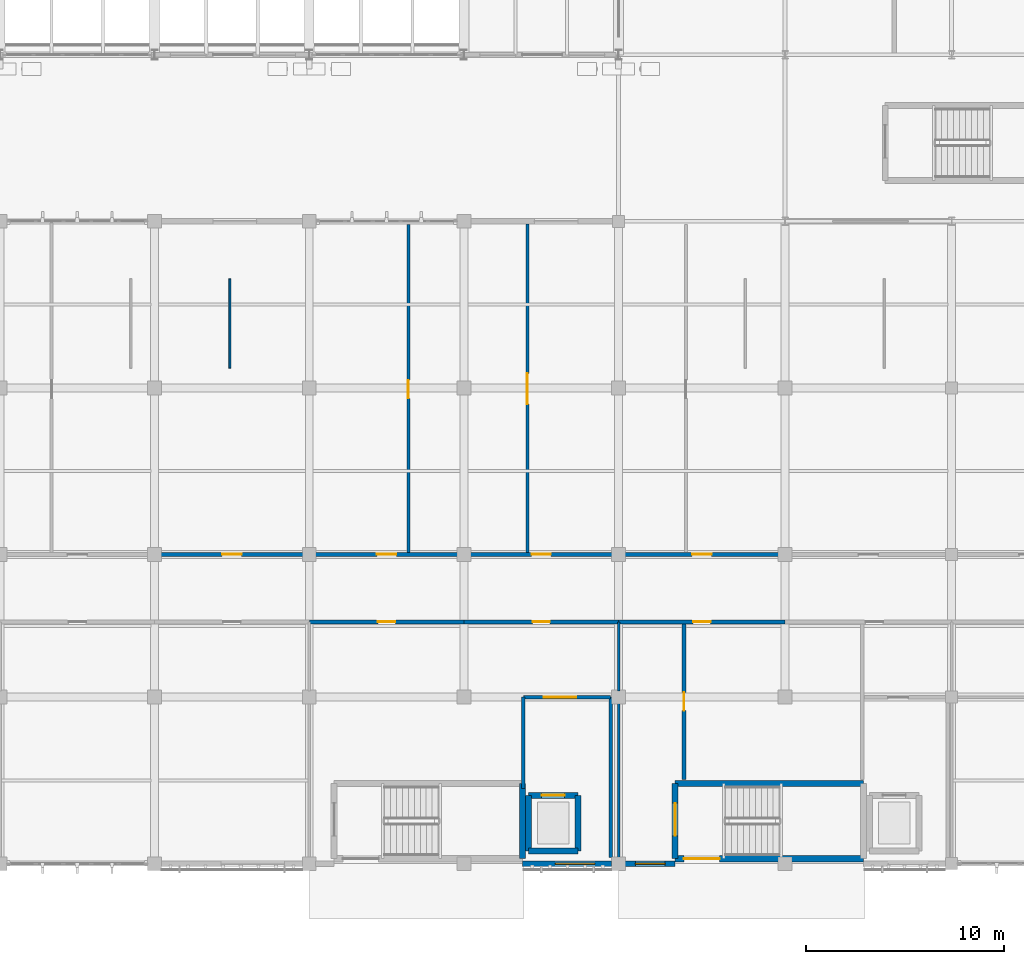
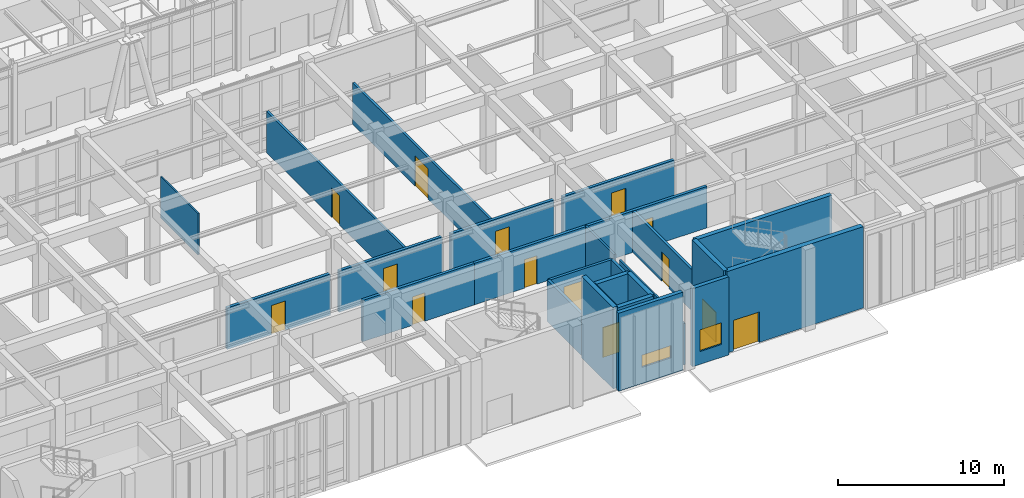
# One storey, part 75 of 110: 26 walls, 14 doors, 2 windows, 16 openings.
"""IFC4 building model written with IfcOpenShell, lengths in metres."""

from ifc_helpers import new_model, si_unit, direction, frame, frame_2d, origin, place, context, subcontext, project, spatial, rectangle, extrude, material, layer, layer_set, type_object, element, fill, save


model = new_model("IFC4")

# Units and contexts
model_context = context("Model", 3, precision=1e-05, world=origin(), true_north=direction((0.0, 1.0)))
body_context = subcontext(model_context, "Body", "Model", "MODEL_VIEW")
ifc_project = project(units=[si_unit("LENGTHUNIT", "METRE"), si_unit("AREAUNIT", "SQUARE_METRE"), si_unit("VOLUMEUNIT", "CUBIC_METRE"), si_unit("PLANEANGLEUNIT", "RADIAN"), si_unit("MASSUNIT", "GRAM", prefix="KILO")], contexts=[model_context])

# Site, building, storey
site_placement = place(None, origin())
site = spatial("IfcSite", under=ifc_project, at=site_placement, CompositionType="ELEMENT")
building_placement = place(site_placement, origin())
building = spatial("IfcBuilding", under=site, at=building_placement, Name="Tizgana Railside Sports Hall", CompositionType="ELEMENT")
storey_placement = place(building_placement, origin())
storey = spatial("IfcBuildingStorey", under=building, at=storey_placement, Name="L00", CompositionType="ELEMENT", Elevation=0.0)

# Wall, opening, door
ifc_material_1 = material(Name="Masonry blockwork", Category="masonry")
ifc_layer_1 = layer(ifc_material_1, 0.14990234375, Name="Masonry blockwork")
ifc_layer_set_1 = layer_set([ifc_layer_1], Name="Masonry blockwork")
wall_type_1 = type_object("IfcWallType", Name="Changing Wet-Room Partition 150", PredefinedType="STANDARD", material=ifc_layer_set_1)
wall_1_placement = place(storey_placement, frame((44.0, 15.60009765625, 0.0), z_axis=(0.0, 0.0, 1.0), x_axis=(0.0, 1.0, 0.0)))
wall_1 = element("IfcWall", 1, at=wall_1_placement, inside=storey, type_object=wall_type_1, Name="L00 Partition PWAL-0024", PredefinedType="STANDARD", context=body_context, shape_type="SweptSolid", body=[
    extrude(rectangle(XDim=16.64990234375, YDim=0.14990234375, at=frame_2d((8.324951171875, 0.0))), origin(), (0.0, 0.0, 1.0), 3.050048828125),
])
opening_1_placement = place(wall_1_placement, frame((7.864990234375, 0.0, 0.0)))
opening_1 = element("IfcOpeningElement", 2, at=opening_1_placement, cuts=wall_1, Name="Opening D-0126", PredefinedType="OPENING", context=body_context, shape_type="SweptSolid", body=[
    extrude(rectangle(XDim=0.919921875, YDim=2.14990234375, at=frame_2d((0.4599609375, 1.074951171875))), frame((0.0, 0.0849609375, 0.0), z_axis=(0.0, -1.0, 0.0), x_axis=(1.0, 0.0, 0.0)), (0.0, 0.0, 1.0), 0.169921875),
])
ifc_material_2 = material(Name="Solid beech timber", Category="wood")
door_type_1 = type_object("IfcDoorType", Name="Consultation & Coaching Door 920x2150", OperationType="NOTDEFINED", PredefinedType="DOOR", material=ifc_material_2)
door_1_placement = place(opening_1_placement, origin())
door_1 = element("IfcDoor", 3, at=door_1_placement, inside=storey, type_object=door_type_1, Name="L00 Door D-0126", OperationType="SINGLE_SWING_RIGHT", OverallHeight=2.14990234375, OverallWidth=0.919921875, PredefinedType="DOOR", context=body_context, shape_type="SweptSolid", body=[
    extrude(rectangle(XDim=0.919921875, YDim=2.14990234375, at=frame_2d((0.4599609375, 1.074951171875))), frame((0.0, 0.02490234375, 0.0), z_axis=(0.0, -1.0, 0.0), x_axis=(1.0, 0.0, 0.0)), (0.0, 0.0, 1.0), 0.050048828125),
])
fill(opening_1, door_1)

ifc_material_3 = material(Name="Acoustic gypsum stud")
ifc_layer_2 = layer(ifc_material_3, 0.159912109375, Name="Acoustic gypsum stud")
ifc_layer_set_2 = layer_set([ifc_layer_2], Name="Acoustic gypsum stud")
wall_type_2 = type_object("IfcWallType", Name="Clinic Acoustic Partition 160", PredefinedType="STANDARD", material=ifc_layer_set_2)
wall_2_placement = place(storey_placement, frame((50.0, 15.64990234375, 0.0), z_axis=(0.0, 0.0, 1.0), x_axis=(0.0, 1.0, 0.0)))
wall_2 = element("IfcWall", 4, at=wall_2_placement, inside=storey, type_object=wall_type_2, Name="L00 Partition PWAL-0044", PredefinedType="STANDARD", context=body_context, shape_type="SweptSolid", body=[
    extrude(rectangle(XDim=16.610107421875, YDim=0.159912109375, at=frame_2d((8.30517578125, 0.0))), origin(), (0.0, 0.0, 1.0), 3.050048828125),
])
opening_2_placement = place(wall_2_placement, frame((7.52490234375, 0.0, 0.0)))
opening_2 = element("IfcOpeningElement", 5, at=opening_2_placement, cuts=wall_2, Name="Opening D-0132", PredefinedType="OPENING", context=body_context, shape_type="SweptSolid", body=[
    extrude(rectangle(XDim=1.550048828125, YDim=2.25, at=frame_2d((0.77490234375, 1.125))), frame((0.0, 0.08984375, 0.0), z_axis=(0.0, -1.0, 0.0), x_axis=(1.0, 0.0, 0.0)), (0.0, 0.0, 1.0), 0.179931640625),
])
ifc_material_4 = material(Name="Acoustic perforated timber", Category="wood")
door_type_2 = type_object("IfcDoorType", Name="Studio Acoustic Double Door 1550x2250", OperationType="NOTDEFINED", PredefinedType="DOOR", material=ifc_material_4)
door_2_placement = place(opening_2_placement, origin())
door_2 = element("IfcDoor", 6, at=door_2_placement, inside=storey, type_object=door_type_2, Name="L00 Door D-0132", OperationType="DOUBLE_DOOR_SINGLE_SWING", OverallHeight=2.25, OverallWidth=1.550048828125, PredefinedType="DOOR", context=body_context, shape_type="SweptSolid", body=[
    extrude(rectangle(XDim=1.550048828125, YDim=2.25, at=frame_2d((0.77490234375, 1.125))), frame((0.0, 0.02490234375, 0.0), z_axis=(0.0, -1.0, 0.0), x_axis=(1.0, 0.0, 0.0)), (0.0, 0.0, 1.0), 0.050048828125),
])
fill(opening_2, door_2)

# Walls
ifc_material_5 = material(Name="Concrete C40/50", Category="concrete")
ifc_layer_3 = layer(ifc_material_5, 0.300048828125, Name="Concrete C40/50")
ifc_layer_set_3 = layer_set([ifc_layer_3], Name="Concrete C40/50")
wall_type_3 = type_object("IfcWallType", Name="Core Shear Wall 300", PredefinedType="SHEAR", material=ifc_layer_set_3)
wall_3_placement = place(storey_placement, frame((49.75, 0.25, 0.0), z_axis=(0.0, 0.0, 1.0), x_axis=(0.0, 1.0, 0.0)))
element("IfcWall", 7, at=wall_3_placement, inside=storey, type_object=wall_type_3, Name="L00 C2 Shaft Wall E", PredefinedType="SHEAR", context=body_context, shape_type="SweptSolid", body=[
    extrude(rectangle(XDim=3.800048828125, YDim=0.300048828125, at=frame_2d((1.89990234375, 0.0))), origin(), (0.0, 0.0, 1.0), 6.0),
])
wall_4_placement = place(storey_placement, frame((50.050048828125, 0.64990234375, 0.0), z_axis=(0.0, 0.0, 1.0), x_axis=(1.0, 0.0, 0.0)))
element("IfcWall", 8, at=wall_4_placement, inside=storey, type_object=wall_type_3, Name="L00 LP-01 Shaft Wall S", PredefinedType="SHEAR", context=body_context, shape_type="SweptSolid", body=[
    extrude(rectangle(XDim=2.5, YDim=0.300048828125, at=frame_2d((1.25, 0.0))), origin(), (0.0, 0.0, 1.0), 5.659912109375),
])

# Wall, opening, door
wall_5_placement = place(storey_placement, frame((50.050048828125, 3.449951171875, 0.0), z_axis=(0.0, 0.0, 1.0), x_axis=(1.0, 0.0, 0.0)))
wall_5 = element("IfcWall", 9, at=wall_5_placement, inside=storey, type_object=wall_type_3, Name="L00 LP-01 Shaft Wall N", PredefinedType="SHEAR", context=body_context, shape_type="SweptSolid", body=[
    extrude(rectangle(XDim=2.5, YDim=0.300048828125, at=frame_2d((1.25, 0.0))), origin(), (0.0, 0.0, 1.0), 5.659912109375),
])
opening_3_placement = place(wall_5_placement, frame((0.675048828125, 0.0, 0.0)))
opening_3 = element("IfcOpeningElement", 10, at=opening_3_placement, cuts=wall_5, Name="Opening D-0057", PredefinedType="OPENING", context=body_context, shape_type="SweptSolid", body=[
    extrude(rectangle(XDim=1.14990234375, YDim=2.199951171875, at=frame_2d((0.574951171875, 1.10009765625))), frame((0.0, 0.159912109375, 0.0), z_axis=(0.0, -1.0, 0.0), x_axis=(1.0, 0.0, 0.0)), (0.0, 0.0, 1.0), 0.320068359375),
])
ifc_material_6 = material(Name="Brushed stainless steel", Category="steel")
door_type_3 = type_object("IfcDoorType", Name="Passenger Lift Sliding Door 1150x2200", OperationType="NOTDEFINED", PredefinedType="DOOR", material=ifc_material_6)
door_3_placement = place(opening_3_placement, origin())
door_3 = element("IfcDoor", 11, at=door_3_placement, inside=storey, type_object=door_type_3, Name="L00 Door D-0057", OperationType="DOUBLE_DOOR_SLIDING", OverallHeight=2.199951171875, OverallWidth=1.14990234375, PredefinedType="DOOR", context=body_context, shape_type="SweptSolid", body=[
    extrude(rectangle(XDim=1.14990234375, YDim=2.199951171875, at=frame_2d((0.574951171875, 1.10009765625))), frame((0.0, 0.02490234375, 0.0), z_axis=(0.0, -1.0, 0.0), x_axis=(1.0, 0.0, 0.0)), (0.0, 0.0, 1.0), 0.050048828125),
])
fill(opening_3, door_3)

# Walls
for number, where, z_axis, x_axis, name in (
    (12, (50.050048828125, 0.64990234375, 0.0), (0.0, 0.0, 1.0), (0.0, 1.0, 0.0), "L00 LP-01 Shaft Wall W"),
    (13, (52.550048828125, 0.64990234375, 0.0), (0.0, 0.0, 1.0), (0.0, 1.0, 0.0), "L00 LP-01 Shaft Wall E"),
):
    element("IfcWall", number, at=place(storey_placement, frame(where, z_axis=z_axis, x_axis=x_axis)), inside=storey, type_object=wall_type_3, Name=name, PredefinedType="SHEAR", context=body_context, shape_type="SweptSolid", body=[
        extrude(rectangle(XDim=2.800048828125, YDim=0.300048828125, at=frame_2d((1.39990234375, 0.0))), origin(), (0.0, 0.0, 1.0), 5.659912109375),
    ])
wall_6_placement = place(storey_placement, frame((57.449951171875, 4.050048828125, 0.0), z_axis=(0.0, 0.0, 1.0), x_axis=(1.0, 0.0, 0.0)))
element("IfcWall", 14, at=wall_6_placement, inside=storey, type_object=wall_type_3, Name="L00 C3 Shaft Wall N", PredefinedType="SHEAR", context=body_context, shape_type="SweptSolid", body=[
    extrude(rectangle(XDim=9.5, YDim=0.300048828125, at=frame_2d((4.75, 0.0))), origin(), (0.0, 0.0, 1.0), 6.0),
])

# Wall, opening, door
wall_7_placement = place(storey_placement, frame((57.449951171875, 0.25, 0.0), z_axis=(0.0, 0.0, 1.0), x_axis=(0.0, 1.0, 0.0)))
wall_7 = element("IfcWall", 15, at=wall_7_placement, inside=storey, type_object=wall_type_3, Name="L00 C3 Shaft Wall W", PredefinedType="SHEAR", context=body_context, shape_type="SweptSolid", body=[
    extrude(rectangle(XDim=3.800048828125, YDim=0.300048828125, at=frame_2d((1.89990234375, 0.0))), origin(), (0.0, 0.0, 1.0), 6.0),
])
opening_4_placement = place(wall_7_placement, frame((1.14990234375, 0.0, 0.0)))
opening_4 = element("IfcOpeningElement", 16, at=opening_4_placement, cuts=wall_7, Name="Opening D-0062", PredefinedType="OPENING", context=body_context, shape_type="SweptSolid", body=[
    extrude(rectangle(XDim=1.64990234375, YDim=2.199951171875, at=frame_2d((0.824951171875, 1.10009765625))), frame((0.0, 0.159912109375, 0.0), z_axis=(0.0, -1.0, 0.0), x_axis=(1.0, 0.0, 0.0)), (0.0, 0.0, 1.0), 0.320068359375),
])
ifc_material_7 = material(Name="Timber fire leaf", Category="wood")
door_type_4 = type_object("IfcDoorType", Name="Stair Core Double Fire Door 1650x2200", OperationType="NOTDEFINED", PredefinedType="DOOR", material=ifc_material_7)
door_4_placement = place(opening_4_placement, origin())
door_4 = element("IfcDoor", 17, at=door_4_placement, inside=storey, type_object=door_type_4, Name="L00 Door D-0062", OperationType="DOUBLE_DOOR_SINGLE_SWING", OverallHeight=2.199951171875, OverallWidth=1.64990234375, PredefinedType="DOOR", context=body_context, shape_type="SweptSolid", body=[
    extrude(rectangle(XDim=1.64990234375, YDim=2.199951171875, at=frame_2d((0.824951171875, 1.10009765625))), frame((0.0, 0.02490234375, 0.0), z_axis=(0.0, -1.0, 0.0), x_axis=(1.0, 0.0, 0.0)), (0.0, 0.0, 1.0), 0.050048828125),
])
fill(opening_4, door_4)

ifc_layer_4 = layer(ifc_material_1, 0.199951171875, Name="Masonry blockwork")
ifc_layer_set_4 = layer_set([ifc_layer_4], Name="Masonry blockwork")
wall_type_4 = type_object("IfcWallType", Name="Corridor Compartment Partition 200", PredefinedType="STANDARD", material=ifc_layer_set_4)
wall_8_placement = place(storey_placement, frame((31.5, 15.60009765625, 0.0), z_axis=(0.0, 0.0, 1.0), x_axis=(1.0, 0.0, 0.0)))
wall_8 = element("IfcWall", 18, at=wall_8_placement, inside=storey, type_object=wall_type_4, Name="L00 Partition PWAL-0007", PredefinedType="STANDARD", context=body_context, shape_type="SweptSolid", body=[
    extrude(rectangle(XDim=7.199951171875, YDim=0.199951171875, at=frame_2d((3.60009765625, 0.0))), origin(), (0.0, 0.0, 1.0), 3.050048828125),
])
opening_5_placement = place(wall_8_placement, frame((3.110107421875, 0.0, 0.0)))
opening_5 = element("IfcOpeningElement", 19, at=opening_5_placement, cuts=wall_8, Name="Opening D-0109", PredefinedType="OPENING", context=body_context, shape_type="SweptSolid", body=[
    extrude(rectangle(XDim=0.97998046875, YDim=2.14990234375, at=frame_2d((0.489990234375, 1.074951171875))), frame((0.0, 0.10986328125, 0.0), z_axis=(0.0, -1.0, 0.0), x_axis=(1.0, 0.0, 0.0)), (0.0, 0.0, 1.0), 0.219970703125),
])
door_type_5 = type_object("IfcDoorType", Name="Athlete Changing Room Door 980x2150", OperationType="NOTDEFINED", PredefinedType="DOOR", material=ifc_material_2)
door_5_placement = place(opening_5_placement, origin())
door_5 = element("IfcDoor", 20, at=door_5_placement, inside=storey, type_object=door_type_5, Name="L00 Door D-0109", OperationType="SINGLE_SWING_LEFT", OverallHeight=2.14990234375, OverallWidth=0.97998046875, PredefinedType="DOOR", context=body_context, shape_type="SweptSolid", body=[
    extrude(rectangle(XDim=0.97998046875, YDim=2.14990234375, at=frame_2d((0.489990234375, 1.074951171875))), frame((0.0, 0.02490234375, 0.0), z_axis=(0.0, -1.0, 0.0), x_axis=(1.0, 0.0, 0.0)), (0.0, 0.0, 1.0), 0.050048828125),
])
fill(opening_5, door_5)

wall_9_placement = place(storey_placement, frame((39.300048828125, 15.60009765625, 0.0), z_axis=(0.0, 0.0, 1.0), x_axis=(1.0, 0.0, 0.0)))
wall_9 = element("IfcWall", 21, at=wall_9_placement, inside=storey, type_object=wall_type_4, Name="L00 Partition PWAL-0009", PredefinedType="STANDARD", context=body_context, shape_type="SweptSolid", body=[
    extrude(rectangle(XDim=7.199951171875, YDim=0.199951171875, at=frame_2d((3.60009765625, 0.0))), origin(), (0.0, 0.0, 1.0), 3.050048828125),
])
opening_6_placement = place(wall_9_placement, frame((3.110107421875, 0.0, 0.0)))
opening_6 = element("IfcOpeningElement", 22, at=opening_6_placement, cuts=wall_9, Name="Opening D-0111", PredefinedType="OPENING", context=body_context, shape_type="SweptSolid", body=[
    extrude(rectangle(XDim=0.97998046875, YDim=2.14990234375, at=frame_2d((0.489990234375, 1.074951171875))), frame((0.0, 0.10986328125, 0.0), z_axis=(0.0, -1.0, 0.0), x_axis=(1.0, 0.0, 0.0)), (0.0, 0.0, 1.0), 0.219970703125),
])
door_6_placement = place(opening_6_placement, origin())
door_6 = element("IfcDoor", 23, at=door_6_placement, inside=storey, type_object=door_type_5, Name="L00 Door D-0111", OperationType="SINGLE_SWING_LEFT", OverallHeight=2.14990234375, OverallWidth=0.97998046875, PredefinedType="DOOR", context=body_context, shape_type="SweptSolid", body=[
    extrude(rectangle(XDim=0.97998046875, YDim=2.14990234375, at=frame_2d((0.489990234375, 1.074951171875))), frame((0.0, 0.02490234375, 0.0), z_axis=(0.0, -1.0, 0.0), x_axis=(1.0, 0.0, 0.0)), (0.0, 0.0, 1.0), 0.050048828125),
])
fill(opening_6, door_6)

wall_10_placement = place(storey_placement, frame((39.0, 12.199951171875, 0.0), z_axis=(0.0, 0.0, 1.0), x_axis=(1.0, 0.0, 0.0)))
wall_10 = element("IfcWall", 24, at=wall_10_placement, inside=storey, type_object=wall_type_4, Name="L00 Partition PWAL-0010", PredefinedType="STANDARD", context=body_context, shape_type="SweptSolid", body=[
    extrude(rectangle(XDim=7.800048828125, YDim=0.199951171875, at=frame_2d((3.89990234375, 0.0))), origin(), (0.0, 0.0, 1.0), 3.050048828125),
])
opening_7_placement = place(wall_10_placement, frame((3.4599609375, 0.0, 0.0)))
opening_7 = element("IfcOpeningElement", 25, at=opening_7_placement, cuts=wall_10, Name="Opening D-0112", PredefinedType="OPENING", context=body_context, shape_type="SweptSolid", body=[
    extrude(rectangle(XDim=0.8798828125, YDim=2.10009765625, at=frame_2d((0.43994140625, 1.050048828125))), frame((0.0, 0.10986328125, 0.0), z_axis=(0.0, -1.0, 0.0), x_axis=(1.0, 0.0, 0.0)), (0.0, 0.0, 1.0), 0.219970703125),
])
door_type_6 = type_object("IfcDoorType", Name="Public & Staff WC Door 880x2100", OperationType="NOTDEFINED", PredefinedType="DOOR", material=ifc_material_2)
door_7_placement = place(opening_7_placement, origin())
door_7 = element("IfcDoor", 26, at=door_7_placement, inside=storey, type_object=door_type_6, Name="L00 Door D-0112", OperationType="SINGLE_SWING_RIGHT", OverallHeight=2.10009765625, OverallWidth=0.8798828125, PredefinedType="DOOR", context=body_context, shape_type="SweptSolid", body=[
    extrude(rectangle(XDim=0.8798828125, YDim=2.10009765625, at=frame_2d((0.43994140625, 1.050048828125))), frame((0.0, 0.02490234375, 0.0), z_axis=(0.0, -1.0, 0.0), x_axis=(1.0, 0.0, 0.0)), (0.0, 0.0, 1.0), 0.050048828125),
])
fill(opening_7, door_7)

wall_11_placement = place(storey_placement, frame((47.10009765625, 15.60009765625, 0.0), z_axis=(0.0, 0.0, 1.0), x_axis=(1.0, 0.0, 0.0)))
wall_11 = element("IfcWall", 27, at=wall_11_placement, inside=storey, type_object=wall_type_4, Name="L00 Partition PWAL-0011", PredefinedType="STANDARD", context=body_context, shape_type="SweptSolid", body=[
    extrude(rectangle(XDim=7.199951171875, YDim=0.199951171875, at=frame_2d((3.60009765625, 0.0))), origin(), (0.0, 0.0, 1.0), 3.050048828125),
])
opening_8_placement = place(wall_11_placement, frame((3.110107421875, 0.0, 0.0)))
opening_8 = element("IfcOpeningElement", 28, at=opening_8_placement, cuts=wall_11, Name="Opening D-0113", PredefinedType="OPENING", context=body_context, shape_type="SweptSolid", body=[
    extrude(rectangle(XDim=0.97998046875, YDim=2.14990234375, at=frame_2d((0.489990234375, 1.074951171875))), frame((0.0, 0.10986328125, 0.0), z_axis=(0.0, -1.0, 0.0), x_axis=(1.0, 0.0, 0.0)), (0.0, 0.0, 1.0), 0.219970703125),
])
door_8_placement = place(opening_8_placement, origin())
door_8 = element("IfcDoor", 29, at=door_8_placement, inside=storey, type_object=door_type_5, Name="L00 Door D-0113", OperationType="SINGLE_SWING_LEFT", OverallHeight=2.14990234375, OverallWidth=0.97998046875, PredefinedType="DOOR", context=body_context, shape_type="SweptSolid", body=[
    extrude(rectangle(XDim=0.97998046875, YDim=2.14990234375, at=frame_2d((0.489990234375, 1.074951171875))), frame((0.0, 0.02490234375, 0.0), z_axis=(0.0, -1.0, 0.0), x_axis=(1.0, 0.0, 0.0)), (0.0, 0.0, 1.0), 0.050048828125),
])
fill(opening_8, door_8)

wall_12_placement = place(storey_placement, frame((46.800048828125, 12.199951171875, 0.0), z_axis=(0.0, 0.0, 1.0), x_axis=(1.0, 0.0, 0.0)))
wall_12 = element("IfcWall", 30, at=wall_12_placement, inside=storey, type_object=wall_type_4, Name="L00 Partition PWAL-0012", PredefinedType="STANDARD", context=body_context, shape_type="SweptSolid", body=[
    extrude(rectangle(XDim=7.800048828125, YDim=0.199951171875, at=frame_2d((3.89990234375, 0.0))), origin(), (0.0, 0.0, 1.0), 3.050048828125),
])
opening_9_placement = place(wall_12_placement, frame((3.4599609375, 0.0, 0.0)))
opening_9 = element("IfcOpeningElement", 31, at=opening_9_placement, cuts=wall_12, Name="Opening D-0114", PredefinedType="OPENING", context=body_context, shape_type="SweptSolid", body=[
    extrude(rectangle(XDim=0.8798828125, YDim=2.10009765625, at=frame_2d((0.43994140625, 1.050048828125))), frame((0.0, 0.10986328125, 0.0), z_axis=(0.0, -1.0, 0.0), x_axis=(1.0, 0.0, 0.0)), (0.0, 0.0, 1.0), 0.219970703125),
])
door_9_placement = place(opening_9_placement, origin())
door_9 = element("IfcDoor", 32, at=door_9_placement, inside=storey, type_object=door_type_6, Name="L00 Door D-0114", OperationType="SINGLE_SWING_RIGHT", OverallHeight=2.10009765625, OverallWidth=0.8798828125, PredefinedType="DOOR", context=body_context, shape_type="SweptSolid", body=[
    extrude(rectangle(XDim=0.8798828125, YDim=2.10009765625, at=frame_2d((0.43994140625, 1.050048828125))), frame((0.0, 0.02490234375, 0.0), z_axis=(0.0, -1.0, 0.0), x_axis=(1.0, 0.0, 0.0)), (0.0, 0.0, 1.0), 0.050048828125),
])
fill(opening_9, door_9)

wall_13_placement = place(storey_placement, frame((54.89990234375, 15.60009765625, 0.0), z_axis=(0.0, 0.0, 1.0), x_axis=(1.0, 0.0, 0.0)))
wall_13 = element("IfcWall", 33, at=wall_13_placement, inside=storey, type_object=wall_type_4, Name="L00 Partition PWAL-0013", PredefinedType="STANDARD", context=body_context, shape_type="SweptSolid", body=[
    extrude(rectangle(XDim=7.800048828125, YDim=0.199951171875, at=frame_2d((3.89990234375, 0.0))), origin(), (0.0, 0.0, 1.0), 3.050048828125),
])
opening_10_placement = place(wall_13_placement, frame((3.409912109375, 0.0, 0.0)))
opening_10 = element("IfcOpeningElement", 34, at=opening_10_placement, cuts=wall_13, Name="Opening D-0115", PredefinedType="OPENING", context=body_context, shape_type="SweptSolid", body=[
    extrude(rectangle(XDim=0.97998046875, YDim=2.14990234375, at=frame_2d((0.489990234375, 1.074951171875))), frame((0.0, 0.10986328125, 0.0), z_axis=(0.0, -1.0, 0.0), x_axis=(1.0, 0.0, 0.0)), (0.0, 0.0, 1.0), 0.219970703125),
])
door_10_placement = place(opening_10_placement, origin())
door_10 = element("IfcDoor", 35, at=door_10_placement, inside=storey, type_object=door_type_5, Name="L00 Door D-0115", OperationType="SINGLE_SWING_LEFT", OverallHeight=2.14990234375, OverallWidth=0.97998046875, PredefinedType="DOOR", context=body_context, shape_type="SweptSolid", body=[
    extrude(rectangle(XDim=0.97998046875, YDim=2.14990234375, at=frame_2d((0.489990234375, 1.074951171875))), frame((0.0, 0.02490234375, 0.0), z_axis=(0.0, -1.0, 0.0), x_axis=(1.0, 0.0, 0.0)), (0.0, 0.0, 1.0), 0.050048828125),
])
fill(opening_10, door_10)

wall_14_placement = place(storey_placement, frame((54.60009765625, 12.199951171875, 0.0), z_axis=(0.0, 0.0, 1.0), x_axis=(1.0, 0.0, 0.0)))
wall_14 = element("IfcWall", 36, at=wall_14_placement, inside=storey, type_object=wall_type_4, Name="L00 Partition PWAL-0014", PredefinedType="STANDARD", context=body_context, shape_type="SweptSolid", body=[
    extrude(rectangle(XDim=8.39990234375, YDim=0.199951171875, at=frame_2d((4.199951171875, 0.0))), origin(), (0.0, 0.0, 1.0), 3.050048828125),
])
opening_11_placement = place(wall_14_placement, frame((3.760009765625, 0.0, 0.0)))
opening_11 = element("IfcOpeningElement", 37, at=opening_11_placement, cuts=wall_14, Name="Opening D-0116", PredefinedType="OPENING", context=body_context, shape_type="SweptSolid", body=[
    extrude(rectangle(XDim=0.8798828125, YDim=2.10009765625, at=frame_2d((0.43994140625, 1.050048828125))), frame((0.0, 0.10986328125, 0.0), z_axis=(0.0, -1.0, 0.0), x_axis=(1.0, 0.0, 0.0)), (0.0, 0.0, 1.0), 0.219970703125),
])
door_11_placement = place(opening_11_placement, origin())
door_11 = element("IfcDoor", 38, at=door_11_placement, inside=storey, type_object=door_type_6, Name="L00 Door D-0116", OperationType="SINGLE_SWING_RIGHT", OverallHeight=2.10009765625, OverallWidth=0.8798828125, PredefinedType="DOOR", context=body_context, shape_type="SweptSolid", body=[
    extrude(rectangle(XDim=0.8798828125, YDim=2.10009765625, at=frame_2d((0.43994140625, 1.050048828125))), frame((0.0, 0.02490234375, 0.0), z_axis=(0.0, -1.0, 0.0), x_axis=(1.0, 0.0, 0.0)), (0.0, 0.0, 1.0), 0.050048828125),
])
fill(opening_11, door_11)

ifc_material_8 = material(Name="Concrete C35/45", Category="concrete")
ifc_layer_5 = layer(ifc_material_8, 0.340087890625, Name="Concrete C35/45")
ifc_layer_set_5 = layer_set([ifc_layer_5], Name="Concrete C35/45")
wall_type_5 = type_object("IfcWallType", Name="Exterior Insulated Concrete Wall 340", PredefinedType="STANDARD", material=ifc_layer_set_5)
wall_15_placement = place(storey_placement, frame((66.949951171875, 0.25, 0.0), z_axis=(0.0, 0.0, 1.0), x_axis=(-1.0, 0.0, 0.0)))
wall_15 = element("IfcWall", 39, at=wall_15_placement, inside=storey, type_object=wall_type_5, Name="L00 C3 Shaft Wall S", PredefinedType="STANDARD", context=body_context, shape_type="SweptSolid", body=[
    extrude(rectangle(XDim=9.5, YDim=0.340087890625, at=frame_2d((4.75, 0.0))), origin(), (0.0, 0.0, 1.0), 6.0),
])
opening_12_placement = place(wall_15_placement, frame((7.25, 0.0, 0.0)))
opening_12 = element("IfcOpeningElement", 40, at=opening_12_placement, cuts=wall_15, Name="Opening D-0063", PredefinedType="OPENING", context=body_context, shape_type="SweptSolid", body=[
    extrude(rectangle(XDim=1.800048828125, YDim=2.25, at=frame_2d((0.89990234375, 1.125))), frame((0.0, 0.179931640625, 0.0), z_axis=(0.0, -1.0, 0.0), x_axis=(1.0, 0.0, 0.0)), (0.0, 0.0, 1.0), 0.360107421875),
])
ifc_material_9 = material(Name="Galvanised steel sheet", Category="steel")
door_type_7 = type_object("IfcDoorType", Name="Protected Stair Final Exit Door 1800x2250", OperationType="NOTDEFINED", PredefinedType="DOOR", material=ifc_material_9)
door_12_placement = place(opening_12_placement, origin())
door_12 = element("IfcDoor", 41, at=door_12_placement, inside=storey, type_object=door_type_7, Name="L00 Core Exit Door D-0063", OperationType="DOUBLE_DOOR_SINGLE_SWING", OverallHeight=2.25, OverallWidth=1.800048828125, PredefinedType="DOOR", context=body_context, shape_type="SweptSolid", body=[
    extrude(rectangle(XDim=1.800048828125, YDim=2.25, at=frame_2d((0.89990234375, 1.125))), frame((0.0, 0.02490234375, 0.0), z_axis=(0.0, -1.0, 0.0), x_axis=(1.0, 0.0, 0.0)), (0.0, 0.0, 1.0), 0.050048828125),
])
fill(opening_12, door_12)

# Wall, opening, window
ifc_material_10 = material(Name="Precast concrete C40/50", Category="concrete")
ifc_layer_6 = layer(ifc_material_10, 0.27001953125, Name="Precast concrete C40/50")
ifc_layer_set_6 = layer_set([ifc_layer_6], Name="Precast concrete C40/50")
wall_type_6 = type_object("IfcWallType", Name="Exterior Studio Facade Wall 270", PredefinedType="STANDARD", material=ifc_layer_set_6)
wall_16_placement = place(storey_placement, frame((54.25, 0.0, 0.0), z_axis=(0.0, 0.0, 1.0), x_axis=(-1.0, 0.0, 0.0)))
wall_16 = element("IfcWall", 42, at=wall_16_placement, inside=storey, type_object=wall_type_6, Name="L00 Exterior Wall EWAL-0074", PredefinedType="STANDARD", context=body_context, shape_type="SweptSolid", body=[
    extrude(rectangle(XDim=4.4951171875, YDim=0.27001953125, at=frame_2d((2.24755859375, 0.0))), origin(), (0.0, 0.0, 1.0), 5.75),
])
opening_13_placement = place(wall_16_placement, frame((0.85009765625, 0.0, 1.199951171875)))
opening_13 = element("IfcOpeningElement", 43, at=opening_13_placement, cuts=wall_16, Name="Opening W-0051", PredefinedType="OPENING", context=body_context, shape_type="SweptSolid", body=[
    extrude(rectangle(XDim=2.0, YDim=0.89990234375, at=frame_2d((1.0, 0.449951171875))), frame((0.0, 0.14501953125, 0.0), z_axis=(0.0, -1.0, 0.0), x_axis=(1.0, 0.0, 0.0)), (0.0, 0.0, 1.0), 0.2900390625),
])
ifc_material_11 = material(Name="Double low-E laminated glass", Category="glass")
window_type_1 = type_object("IfcWindowType", Name="Changing High-Level Window 2000x900", PartitioningType="SINGLE_PANEL", PredefinedType="WINDOW", material=ifc_material_11)
window_1_placement = place(opening_13_placement, origin())
window_1 = element("IfcWindow", 44, at=window_1_placement, inside=storey, type_object=window_type_1, Name="L00 Window W-0051", OverallHeight=0.89990234375, OverallWidth=2.0, PartitioningType="SINGLE_PANEL", PredefinedType="WINDOW", context=body_context, shape_type="SweptSolid", body=[
    extrude(rectangle(XDim=2.0, YDim=0.89990234375, at=frame_2d((1.0, 0.449951171875))), frame((0.0, 0.030029296875, 0.0), z_axis=(0.0, -1.0, 0.0), x_axis=(1.0, 0.0, 0.0)), (0.0, 0.0, 1.0), 0.06005859375),
])
fill(opening_13, window_1)

wall_17_placement = place(storey_placement, frame((57.445068359375, 0.0, 0.0), z_axis=(0.0, 0.0, 1.0), x_axis=(-1.0, 0.0, 0.0)))
wall_17 = element("IfcWall", 45, at=wall_17_placement, inside=storey, type_object=wall_type_6, Name="L00 Exterior Wall EWAL-0075", PredefinedType="STANDARD", context=body_context, shape_type="SweptSolid", body=[
    extrude(rectangle(XDim=2.525146484375, YDim=0.27001953125, at=frame_2d((1.2626953125, 0.0))), origin(), (0.0, 0.0, 1.0), 5.75),
])
opening_14_placement = place(wall_17_placement, frame((0.4951171875, 0.0, 0.949951171875)))
opening_14 = element("IfcOpeningElement", 46, at=opening_14_placement, cuts=wall_17, Name="Opening W-0052", PredefinedType="OPENING", context=body_context, shape_type="SweptSolid", body=[
    extrude(rectangle(XDim=1.5, YDim=1.60009765625, at=frame_2d((0.75, 0.800048828125))), frame((0.0, 0.14501953125, 0.0), z_axis=(0.0, -1.0, 0.0), x_axis=(1.0, 0.0, 0.0)), (0.0, 0.0, 1.0), 0.2900390625),
])
window_type_2 = type_object("IfcWindowType", Name="Referees Suite Window 1500x1600", PartitioningType="SINGLE_PANEL", PredefinedType="WINDOW", material=ifc_material_11)
window_2_placement = place(opening_14_placement, origin())
window_2 = element("IfcWindow", 47, at=window_2_placement, inside=storey, type_object=window_type_2, Name="L00 Window W-0052", OverallHeight=1.60009765625, OverallWidth=1.5, PartitioningType="SINGLE_PANEL", PredefinedType="WINDOW", context=body_context, shape_type="SweptSolid", body=[
    extrude(rectangle(XDim=1.5, YDim=1.60009765625, at=frame_2d((0.75, 0.800048828125))), frame((0.0, 0.030029296875, 0.0), z_axis=(0.0, -1.0, 0.0), x_axis=(1.0, 0.0, 0.0)), (0.0, 0.0, 1.0), 0.06005859375),
])
fill(opening_14, window_2)

# Walls
ifc_layer_7 = layer(ifc_material_3, 0.1298828125, Name="Acoustic gypsum stud")
ifc_layer_set_7 = layer_set([ifc_layer_7], Name="Acoustic gypsum stud")
wall_type_7 = type_object("IfcWallType", Name="General Interior Partition 130", PredefinedType="STANDARD", material=ifc_layer_set_7)
wall_18_placement = place(storey_placement, frame((54.60009765625, 0.300048828125, 0.0), z_axis=(0.0, 0.0, 1.0), x_axis=(0.0, 1.0, 0.0)))
element("IfcWall", 48, at=wall_18_placement, inside=storey, type_object=wall_type_7, Name="L00 Partition PWAL-0032", PredefinedType="STANDARD", context=body_context, shape_type="SweptSolid", body=[
    extrude(rectangle(XDim=7.800048828125, YDim=0.1298828125, at=frame_2d((3.89990234375, 0.0))), origin(), (0.0, 0.0, 1.0), 3.050048828125),
])
wall_19_placement = place(storey_placement, frame((54.60009765625, 8.699951171875, 0.0), z_axis=(0.0, 0.0, 1.0), x_axis=(0.0, 1.0, 0.0)))
element("IfcWall", 49, at=wall_19_placement, inside=storey, type_object=wall_type_7, Name="L00 Partition PWAL-0033", PredefinedType="STANDARD", context=body_context, shape_type="SweptSolid", body=[
    extrude(rectangle(XDim=3.5, YDim=0.1298828125, at=frame_2d((1.75, 0.0))), origin(), (0.0, 0.0, 1.0), 3.050048828125),
])
ifc_layer_8 = layer(ifc_material_3, 0.10009765625, Name="Acoustic gypsum stud")
ifc_layer_set_8 = layer_set([ifc_layer_8], Name="Acoustic gypsum stud")
wall_type_8 = type_object("IfcWallType", Name="Locker Alcove Partition 100", PredefinedType="STANDARD", material=ifc_layer_set_8)
wall_20_placement = place(storey_placement, frame((35.0, 25.0, 0.0), z_axis=(0.0, 0.0, 1.0), x_axis=(0.0, 1.0, 0.0)))
element("IfcWall", 50, at=wall_20_placement, inside=storey, type_object=wall_type_8, Name="L00 Partition PWAL-0048", PredefinedType="STANDARD", context=body_context, shape_type="SweptSolid", body=[
    extrude(rectangle(XDim=4.5, YDim=0.10009765625, at=frame_2d((2.25, 0.0))), origin(), (0.0, 0.0, 1.0), 3.050048828125),
])
ifc_layer_9 = layer(ifc_material_1, 0.179931640625, Name="Masonry blockwork")
ifc_layer_set_9 = layer_set([ifc_layer_9], Name="Masonry blockwork")
wall_type_9 = type_object("IfcWallType", Name="Riser and Shaft Wall 180", PredefinedType="STANDARD", material=ifc_layer_set_9)
wall_21_placement = place(storey_placement, frame((49.800048828125, 3.800048828125, 0.0), z_axis=(0.0, 0.0, 1.0), x_axis=(0.0, 1.0, 0.0)))
element("IfcWall", 51, at=wall_21_placement, inside=storey, type_object=wall_type_9, Name="L00 Partition PWAL-0350", PredefinedType="STANDARD", context=body_context, shape_type="SweptSolid", body=[
    extrude(rectangle(XDim=4.599853515625, YDim=0.179931640625, at=frame_2d((2.2998046875, 0.0))), origin(), (0.0, 0.0, 1.0), 3.050048828125),
])

# Wall, opening, door
wall_22_placement = place(storey_placement, frame((49.800048828125, 8.39990234375, 0.0), z_axis=(0.0, 0.0, 1.0), x_axis=(1.0, 0.0, 0.0)))
wall_22 = element("IfcWall", 52, at=wall_22_placement, inside=storey, type_object=wall_type_9, Name="L00 Partition PWAL-0351", PredefinedType="STANDARD", context=body_context, shape_type="SweptSolid", body=[
    extrude(rectangle(XDim=4.39990234375, YDim=0.179931640625, at=frame_2d((2.199951171875, 0.0))), origin(), (0.0, 0.0, 1.0), 3.050048828125),
])
opening_15_placement = place(wall_22_placement, frame((1.02490234375, 0.0, 0.0)))
opening_15 = element("IfcOpeningElement", 53, at=opening_15_placement, cuts=wall_22, Name="Opening D-0312", PredefinedType="OPENING", context=body_context, shape_type="SweptSolid", body=[
    extrude(rectangle(XDim=1.64990234375, YDim=2.199951171875, at=frame_2d((0.824951171875, 1.10009765625))), frame((0.0, 0.099853515625, 0.0), z_axis=(0.0, -1.0, 0.0), x_axis=(1.0, 0.0, 0.0)), (0.0, 0.0, 1.0), 0.199951171875),
])
door_13_placement = place(opening_15_placement, origin())
door_13 = element("IfcDoor", 54, at=door_13_placement, inside=storey, type_object=door_type_4, Name="L00 Door D-0312", OperationType="DOUBLE_DOOR_SINGLE_SWING", OverallHeight=2.199951171875, OverallWidth=1.64990234375, PredefinedType="DOOR", context=body_context, shape_type="SweptSolid", body=[
    extrude(rectangle(XDim=1.64990234375, YDim=2.199951171875, at=frame_2d((0.824951171875, 1.10009765625))), frame((0.0, 0.02490234375, 0.0), z_axis=(0.0, -1.0, 0.0), x_axis=(1.0, 0.0, 0.0)), (0.0, 0.0, 1.0), 0.050048828125),
])
fill(opening_15, door_13)

# Wall
wall_23_placement = place(storey_placement, frame((54.199951171875, 0.300048828125, 0.0), z_axis=(0.0, 0.0, 1.0), x_axis=(0.0, 1.0, 0.0)))
element("IfcWall", 55, at=wall_23_placement, inside=storey, type_object=wall_type_9, Name="L00 Partition PWAL-0352", PredefinedType="STANDARD", context=body_context, shape_type="SweptSolid", body=[
    extrude(rectangle(XDim=8.099853515625, YDim=0.179931640625, at=frame_2d((4.0498046875, 0.0))), origin(), (0.0, 0.0, 1.0), 3.050048828125),
])

# Wall, opening, door
wall_24_placement = place(storey_placement, frame((57.89990234375, 4.25, 0.0), z_axis=(0.0, 0.0, 1.0), x_axis=(0.0, 1.0, 0.0)))
wall_24 = element("IfcWall", 56, at=wall_24_placement, inside=storey, type_object=wall_type_9, Name="L00 Partition PWAL-0353", PredefinedType="STANDARD", context=body_context, shape_type="SweptSolid", body=[
    extrude(rectangle(XDim=7.85009765625, YDim=0.179931640625, at=frame_2d((3.925048828125, 0.0))), origin(), (0.0, 0.0, 1.0), 3.050048828125),
])
opening_16_placement = place(wall_24_placement, frame((3.465087890625, 0.0, 0.0)))
opening_16 = element("IfcOpeningElement", 57, at=opening_16_placement, cuts=wall_24, Name="Opening D-0313", PredefinedType="OPENING", context=body_context, shape_type="SweptSolid", body=[
    extrude(rectangle(XDim=0.919921875, YDim=2.14990234375, at=frame_2d((0.4599609375, 1.074951171875))), frame((0.0, 0.099853515625, 0.0), z_axis=(0.0, -1.0, 0.0), x_axis=(1.0, 0.0, 0.0)), (0.0, 0.0, 1.0), 0.199951171875),
])
door_14_placement = place(opening_16_placement, origin())
door_14 = element("IfcDoor", 58, at=door_14_placement, inside=storey, type_object=door_type_1, Name="L00 Door D-0313", OperationType="SINGLE_SWING_RIGHT", OverallHeight=2.14990234375, OverallWidth=0.919921875, PredefinedType="DOOR", context=body_context, shape_type="SweptSolid", body=[
    extrude(rectangle(XDim=0.919921875, YDim=2.14990234375, at=frame_2d((0.4599609375, 1.074951171875))), frame((0.0, 0.02490234375, 0.0), z_axis=(0.0, -1.0, 0.0), x_axis=(1.0, 0.0, 0.0)), (0.0, 0.0, 1.0), 0.050048828125),
])
fill(opening_16, door_14)

save(model, "model.ifc")
